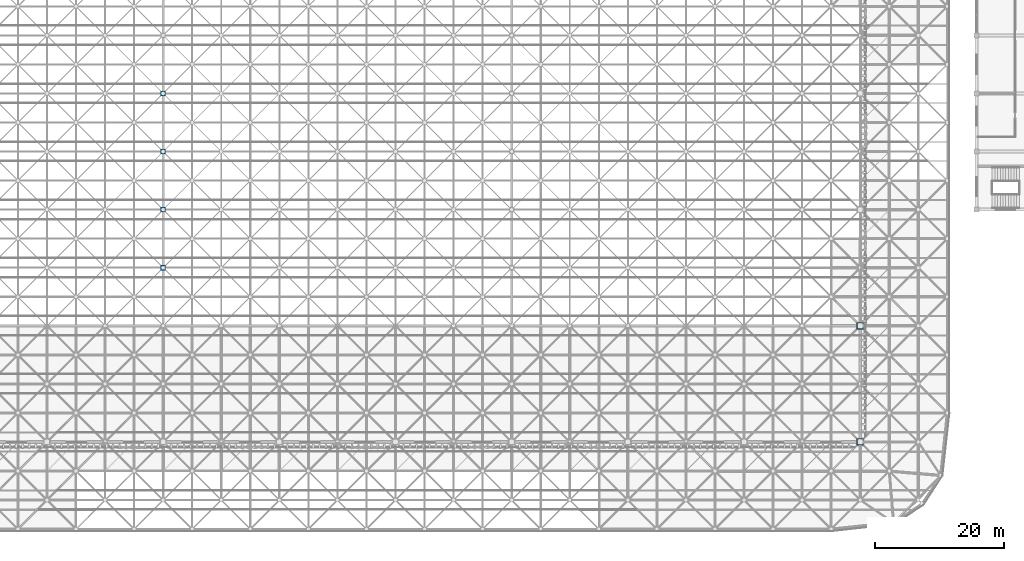
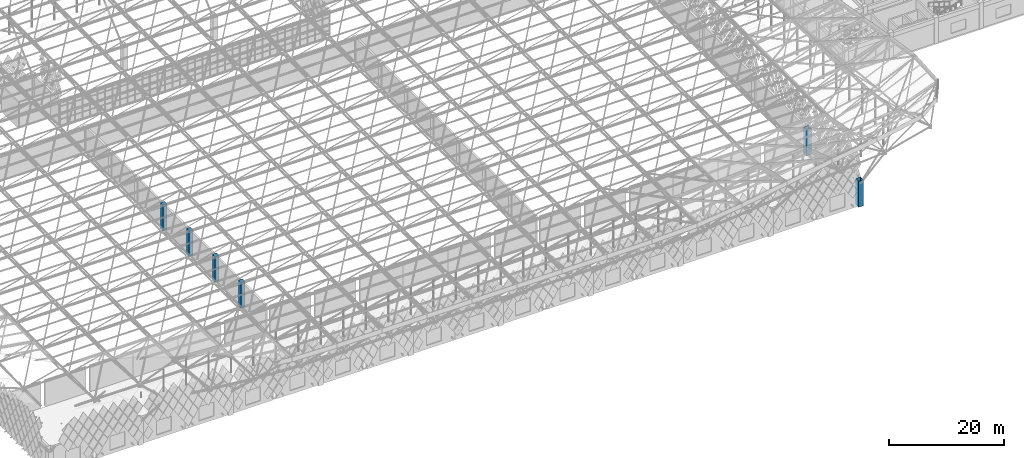
# One storey, part 5 of 437: 6 columns.
"""IFC4 building model written with IfcOpenShell, lengths in metres."""

from ifc_helpers import new_model, si_unit, direction, frame, origin, origin_2d, place, context, subcontext, project, spatial, rectangle, hollow_rectangle, extrude, material, material_profile, profile_set, type_object, element, save


model = new_model("IFC4")

# Units and contexts
model_context = context("Model", 3, precision=1e-05, world=origin(), true_north=direction((0.0, 1.0)))
body_context = subcontext(model_context, "Body", "Model", "MODEL_VIEW")
ifc_project = project(units=[si_unit("LENGTHUNIT", "METRE"), si_unit("AREAUNIT", "SQUARE_METRE"), si_unit("VOLUMEUNIT", "CUBIC_METRE"), si_unit("PLANEANGLEUNIT", "RADIAN"), si_unit("MASSUNIT", "GRAM", prefix="KILO")], contexts=[model_context])

# Site, building, storey
site_placement = place(None, origin())
site = spatial("IfcSite", under=ifc_project, at=site_placement, CompositionType="ELEMENT")
building_placement = place(site_placement, origin())
building = spatial("IfcBuilding", under=site, at=building_placement, Name="Opaline Strait Convention Centre", CompositionType="ELEMENT")
storey_placement = place(building_placement, frame((0.0, 0.0, 11.5)))
storey = spatial("IfcBuildingStorey", under=building, at=storey_placement, Name="L02", CompositionType="ELEMENT", Elevation=11.5)

# Columns
ifc_material_1 = material(Name="Steel Q355B", Category="steel")
ifc_material_profile_1 = material_profile(ifc_material_1, hollow_rectangle(XDim=1.0, YDim=1.0, WallThickness=0.031982421875, at=origin_2d()), Name="BOX 1000x1000x32")
ifc_profile_set_1 = profile_set([ifc_material_profile_1], Name="Steel Q355B")
column_type_1 = type_object("IfcColumnType", Name="CFT column BOX 1000x1000x32 C60 fill", PredefinedType="COLUMN", material=ifc_profile_set_1)
for number, where, z_axis, x_axis, name in (
    (1, (261.0, 54.0, 0.0), (0.0, 0.0, 1.0), (1.0, 0.0, 0.0), "Roof column XC-24"),
    (2, (261.0, 72.0, 0.0), (0.0, 0.0, 1.0), (1.0, 0.0, 0.0), "Roof column XC-25"),
):
    element("IfcColumn", number, at=place(storey_placement, frame(where, z_axis=z_axis, x_axis=x_axis)), inside=storey, type_object=column_type_1, Name=name, ObjectType="XC1", PredefinedType="COLUMN", context=body_context, shape_type="SweptSolid", body=[
        extrude(hollow_rectangle(XDim=1.0, YDim=1.0, WallThickness=0.031982421875, at=origin_2d()), origin(), (0.0, 0.0, 1.0), 5.5),
    ])
ifc_material_2 = material(Name="Concrete C40", Category="concrete")
ifc_material_profile_2 = material_profile(ifc_material_2, rectangle(XDim=0.800048828125, YDim=0.800048828125, at=origin_2d()), Name="RC 800x800")
ifc_profile_set_2 = profile_set([ifc_material_profile_2], Name="Concrete C40")
column_type_2 = type_object("IfcColumnType", Name="RC column 800x800 C40", PredefinedType="COLUMN", material=ifc_profile_set_2)
for number, where, z_axis, x_axis, name in (
    (3, (153.0, 81.0, 0.0), (0.0, 0.0, 1.0), (1.0, 0.0, 0.0), "Fire wall pilaster"),
    (4, (153.0, 90.0, 0.0), (0.0, 0.0, 1.0), (1.0, 0.0, 0.0), "Fire wall pilaster"),
    (5, (153.0, 99.0, 0.0), (0.0, 0.0, 1.0), (1.0, 0.0, 0.0), "Fire wall pilaster"),
    (6, (153.0, 108.0, 0.0), (0.0, 0.0, 1.0), (1.0, 0.0, 0.0), "Fire wall pilaster"),
):
    element("IfcColumn", number, at=place(storey_placement, frame(where, z_axis=z_axis, x_axis=x_axis)), inside=storey, type_object=column_type_2, Name=name, ObjectType="XC2", PredefinedType="COLUMN", context=body_context, shape_type="SweptSolid", body=[
        extrude(rectangle(XDim=0.800048828125, YDim=0.800048828125, at=origin_2d()), origin(), (0.0, 0.0, 1.0), 5.5),
    ])

save(model, "model.ifc")
